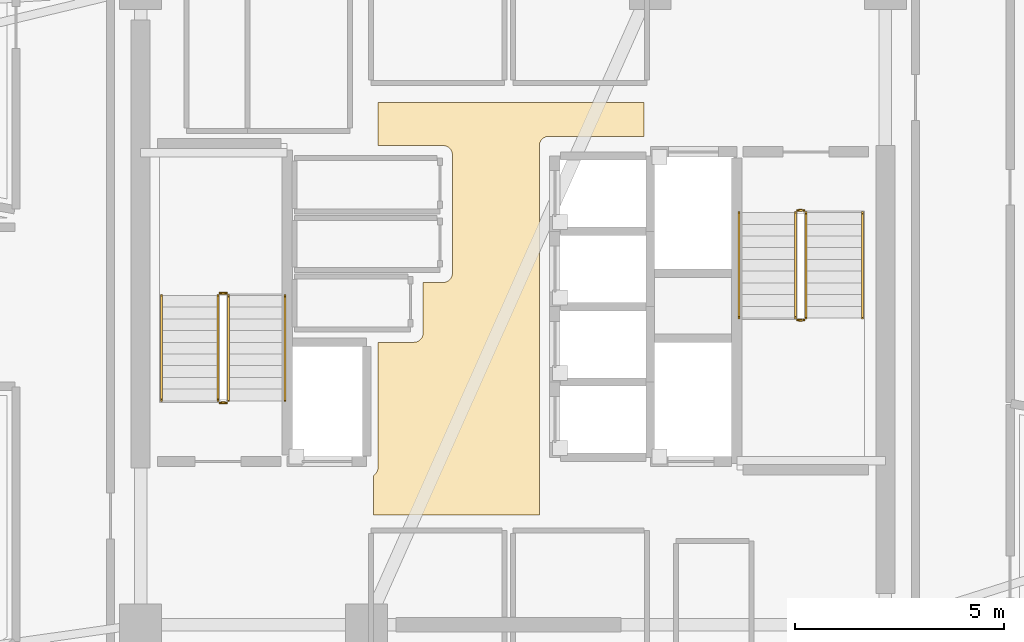
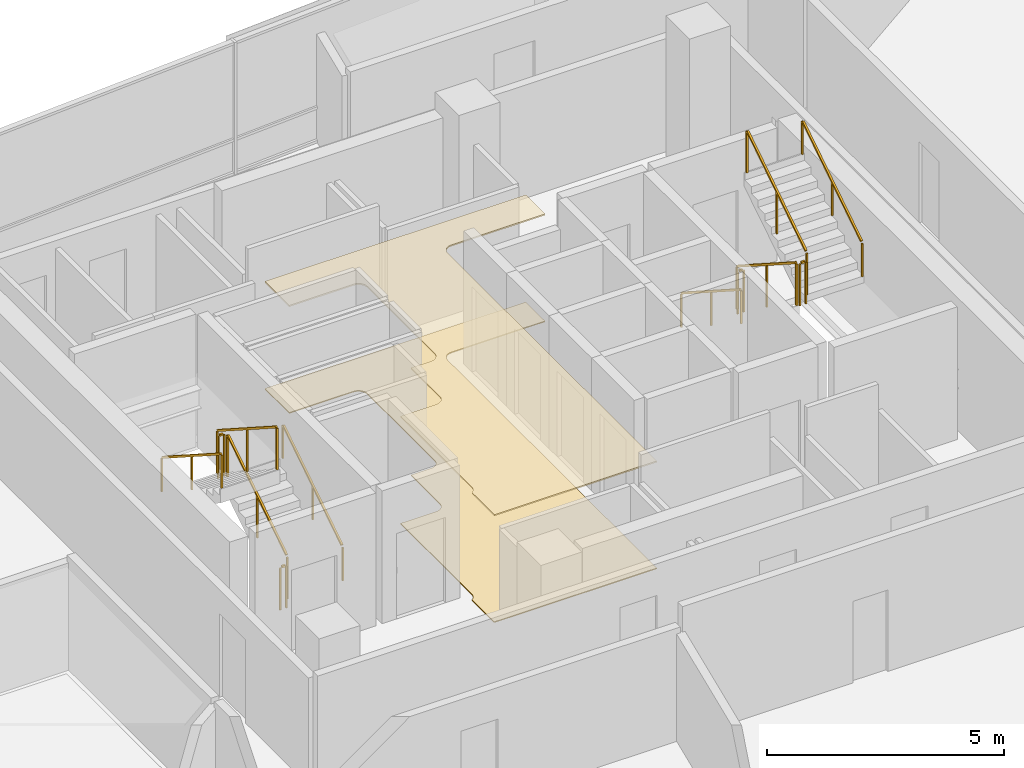
# One storey, part 15 of 16: 12 railings, 2 coverings.
"""IFC4 building model written with IfcOpenShell, lengths in metres."""

import ifcopenshell
import ifcopenshell.guid

model = None  # the IFC model being written
_history = None  # IfcOwnerHistory: only IFC2X3 demands one
_inside = {}  # id of a spatial element -> (the spatial element, [elements in it])
_under = {}  # id of a project, library or spatial element -> (it, [spatial elements below it])
_declared = {}  # id of a project -> (the project, [libraries it declares])
_typed = {}  # id of a type object -> (the type object, [elements of that type])
_made_of = {}  # id of a material, layer set ... -> (it, [elements and type objects made of it])


def new_model(schema):
    """Start an empty IFC model of exactly this schema.

    Asked for "IFC4X3", IfcOpenShell would pick the latest addendum, in which some entities
    have other attributes; the version numbers below select the first issue.
    IFC2X3 requires an IfcOwnerHistory on every rooted entity: one is made here for all.
    """
    global model, _history
    if schema == "IFC4X3":
        model = ifcopenshell.file(schema_version=(4, 3, 0, 0))
    else:
        model = ifcopenshell.file(schema=schema)
    _inside.clear()
    _under.clear()
    _declared.clear()
    _typed.clear()
    _made_of.clear()
    _history = None
    if model.schema == "IFC2X3":
        org = make("IfcOrganization", Name="unknown")
        user = make(
            "IfcPersonAndOrganization",
            ThePerson=make("IfcPerson", FamilyName="unknown"),
            TheOrganization=org,
        )
        app = make(
            "IfcApplication",
            ApplicationDeveloper=org,
            Version="unknown",
            ApplicationFullName="unknown",
            ApplicationIdentifier="unknown",
        )
        _history = make(
            "IfcOwnerHistory",
            OwningUser=user,
            OwningApplication=app,
            ChangeAction="ADDED",
            CreationDate=0,
        )
    return model


def make(cls, **values):
    """One entity of the class cls with the attributes given. An attribute that is None is left unset."""
    return model.create_entity(
        cls, **{name: value for name, value in values.items() if value is not None}
    )


def rooted(cls, **values):
    """An entity with a GlobalId (a new one), such as an element, a storey or a relation."""
    return make(cls, GlobalId=ifcopenshell.guid.new(), OwnerHistory=_history, **values)


def si_unit(unit_type, name, prefix=None):
    """IfcSIUnit, for example si_unit("LENGTHUNIT", "METRE", prefix="MILLI")."""
    return make("IfcSIUnit", UnitType=unit_type, Prefix=prefix, Name=name)


def assignment(units):
    """IfcUnitAssignment: the units of a project."""
    return None if units is None else make("IfcUnitAssignment", Units=units)


def point(xyz):
    """IfcCartesianPoint."""
    return None if xyz is None else make("IfcCartesianPoint", Coordinates=xyz)


def direction(xyz):
    """IfcDirection."""
    return None if xyz is None else make("IfcDirection", DirectionRatios=xyz)


def frame(location, z_axis=None, x_axis=None):
    """IfcAxis2Placement3D, a coordinate frame: its origin and axes. An axis left out is left unset."""
    return make(
        "IfcAxis2Placement3D",
        Location=point(location),
        Axis=direction(z_axis),
        RefDirection=direction(x_axis),
    )


def frame_2d(location, x_axis=None):
    """IfcAxis2Placement2D, a coordinate frame in the plane: its origin and x axis."""
    return make(
        "IfcAxis2Placement2D", Location=point(location), RefDirection=direction(x_axis)
    )


def origin():
    """The frame at (0, 0, 0) with its axes left unset."""
    return frame((0.0, 0.0, 0.0))


def origin_2d():
    """The frame at (0, 0) in the plane with its x axis left unset."""
    return frame_2d((0.0, 0.0))


def place(relative_to, where):
    """IfcLocalPlacement: puts the frame where relative to a parent placement (None: the world)."""
    return make(
        "IfcLocalPlacement", PlacementRelTo=relative_to, RelativePlacement=where
    )


def context(
    kind, dimensions, precision=None, world=None, true_north=None, identifier=None
):
    """IfcGeometricRepresentationContext, for example the 3D "Model" context."""
    return make(
        "IfcGeometricRepresentationContext",
        ContextIdentifier=identifier,
        ContextType=kind,
        CoordinateSpaceDimension=dimensions,
        Precision=precision,
        WorldCoordinateSystem=world,
        TrueNorth=true_north,
    )


def subcontext(parent, identifier, kind, view, scale=None):
    """IfcGeometricRepresentationSubContext, for example "Body" below "Model"."""
    return make(
        "IfcGeometricRepresentationSubContext",
        ContextIdentifier=identifier,
        ContextType=kind,
        ParentContext=parent,
        TargetScale=scale,
        TargetView=view,
    )


def project(units=None, contexts=None):
    """IfcProject with its units and contexts."""
    return rooted(
        "IfcProject",
        Name="project",
        RepresentationContexts=contexts,
        UnitsInContext=assignment(units),
    )


def spatial(cls, under=None, at=None, **own):
    """A site, building, storey or space (cls), placed at a placement, below another one or the project."""
    s = rooted(cls, ObjectPlacement=at, **own)
    if under is not None:
        _under.setdefault(under.id(), (under, []))[1].append(s)
    return s


def polyline(points):
    """IfcPolyline through the points."""
    return make("IfcPolyline", Points=[point(p) for p in points])


def profile(cls, at=None, kind="AREA", **sizes):
    """A parametric profile (cls). Its sizes go by their IFC names, for example OverallWidth=200.0."""
    return make(cls, ProfileType=kind, Position=at, **sizes)


def rectangle(**sizes):
    """IfcRectangleProfileDef."""
    return profile("IfcRectangleProfileDef", **sizes)


def outline(outer, holes=None, kind="AREA"):
    """IfcArbitraryClosedProfileDef: a profile drawn as a closed curve; with holes, ...WithVoids."""
    if holes is None:
        return make("IfcArbitraryClosedProfileDef", ProfileType=kind, OuterCurve=outer)
    return make(
        "IfcArbitraryProfileDefWithVoids",
        ProfileType=kind,
        OuterCurve=outer,
        InnerCurves=holes,
    )


def extrude(swept, where, along, depth):
    """IfcExtrudedAreaSolid: the profile swept, set in the frame where, extruded along a direction by depth."""
    return make(
        "IfcExtrudedAreaSolid",
        SweptArea=swept,
        Position=where,
        ExtrudedDirection=direction(along),
        Depth=depth,
    )


def shape(context_of_items, identifier, shape_type, items):
    """IfcShapeRepresentation: the items that make up one representation, for example the "Body"."""
    return make(
        "IfcShapeRepresentation",
        ContextOfItems=context_of_items,
        RepresentationIdentifier=identifier,
        RepresentationType=shape_type,
        Items=items,
    )


def material(Name=None, Category=None):
    """IfcMaterial."""
    return make("IfcMaterial", Name=Name, Category=Category)


def layer(
    of_material, thickness, ventilated=None, Name=None, Category=None, Priority=None
):
    """IfcMaterialLayer: one layer of a wall or slab, of a material (None: an air gap)."""
    return make(
        "IfcMaterialLayer",
        Material=of_material,
        LayerThickness=thickness,
        IsVentilated=ventilated,
        Name=Name,
        Category=Category,
        Priority=Priority,
    )


def layer_set(layers, Name=None):
    """IfcMaterialLayerSet."""
    return make("IfcMaterialLayerSet", MaterialLayers=layers, LayerSetName=Name)


def made_of(thing, what):
    """Note that an element or type object is made of a material, layer set ...; save() writes the relation."""
    if what is not None:
        _made_of.setdefault(what.id(), (what, []))[1].append(thing)
    return thing


def type_object(cls, material=None, **own):
    """A type object (cls), such as IfcWallType, which elements share."""
    return made_of(rooted(cls, **own), material)


def element(
    cls,
    number,
    at=None,
    inside=None,
    cuts=None,
    type_object=None,
    material=None,
    context=None,
    identifier="Body",
    shape_type=None,
    held_by="IfcProductDefinitionShape",
    body=None,
    shapes=None,
    **own,
):
    """One element of the class cls, such as IfcWall. Its Tag is "e" and its number.

    at: its placement. inside: the storey or other place that contains it. cuts: it is an
    opening in that element (IfcRelVoidsElement). A single representation is given by context,
    identifier, shape_type and body (its items); several are given by shapes. held_by: the class
    of the entity that holds the representations. save() writes the other relations.
    """
    e = rooted(cls, Tag="e%d" % number, ObjectPlacement=at, **own)
    if body is not None:
        shapes = [shape(context, identifier, shape_type, body)]
    if shapes is not None:
        e.Representation = make(held_by, Representations=shapes)
    if inside is not None:
        _inside.setdefault(inside.id(), (inside, []))[1].append(e)
    if cuts is not None:
        rooted(
            "IfcRelVoidsElement", RelatingBuildingElement=cuts, RelatedOpeningElement=e
        )
    if type_object is not None:
        _typed.setdefault(type_object.id(), (type_object, []))[1].append(e)
    return made_of(e, material)


def aggregate(whole, parts):
    """IfcRelAggregates: a whole, such as a stair, and the parts it consists of."""
    return rooted("IfcRelAggregates", RelatingObject=whole, RelatedObjects=parts)


def save(model, path):
    """Write the relations noted so far, then the file.

    IfcRelAggregates (storeys below a building ...), IfcRelContainedInSpatialStructure (elements
    in a storey), IfcRelDefinesByType, IfcRelAssociatesMaterial and IfcRelDeclares: one each for
    every whole, place, type object, material and project.
    """
    for whole, parts in _under.values():
        aggregate(whole, parts)
    for where, things in _inside.values():
        rooted(
            "IfcRelContainedInSpatialStructure",
            RelatedElements=things,
            RelatingStructure=where,
        )
    for kind, things in _typed.values():
        rooted("IfcRelDefinesByType", RelatedObjects=things, RelatingType=kind)
    for what, things in _made_of.values():
        rooted("IfcRelAssociatesMaterial", RelatedObjects=things, RelatingMaterial=what)
    for by, libraries in _declared.values():
        rooted("IfcRelDeclares", RelatingContext=by, RelatedDefinitions=libraries)
    model.write(path)


model = new_model("IFC4")

# Units and contexts
model_context = context("Model", 3, precision=1e-05, world=origin(), true_north=direction((0.0, 1.0)))
body_context = subcontext(model_context, "Body", "Model", "MODEL_VIEW")
ifc_project = project(units=[si_unit("LENGTHUNIT", "METRE"), si_unit("AREAUNIT", "SQUARE_METRE"), si_unit("VOLUMEUNIT", "CUBIC_METRE"), si_unit("PLANEANGLEUNIT", "RADIAN"), si_unit("MASSUNIT", "GRAM", prefix="KILO")], contexts=[model_context])

# Site, building, storey
site_placement = place(None, origin())
site = spatial("IfcSite", under=ifc_project, at=site_placement, CompositionType="ELEMENT")
building_placement = place(site_placement, origin())
building = spatial("IfcBuilding", under=site, at=building_placement, Name="Tharavind Bronze Gate", CompositionType="ELEMENT")
storey_placement = place(building_placement, frame((0.0, 0.0, 264.199951171875)))
storey = spatial("IfcBuildingStorey", under=building, at=storey_placement, Name="L68", CompositionType="ELEMENT", Elevation=264.199951171875)

# Coverings
ifc_material_1 = material(Name="Perforated Bronze Acoustic Panel", Category="bronze")
ifc_layer_1 = layer(ifc_material_1, 0.044921875)
ifc_layer_set_1 = layer_set([ifc_layer_1], Name="Perforated Bronze Acoustic Panel")
covering_type_1 = type_object("IfcCoveringType", Name="ACOUSTIC BRONZE BAFFLE CEILING", PredefinedType="CEILING", material=ifc_layer_set_1)
covering_1_placement = place(storey_placement, frame((0.0, 0.0, 2.75)))
element("IfcCovering", 1, at=covering_1_placement, inside=storey, type_object=covering_type_1, Name="L68-C-LL suspended ceiling", PredefinedType="CEILING", context=body_context, shape_type="SweptSolid", body=[
    extrude(outline(polyline([(-3.330078125, -4.97998046875), (0.6298828125, -4.97998046875), (0.6298828125, 3.85009765625), (0.631103515625, 3.87158203125), (0.63427734375, 3.892822265625), (0.639404296875, 3.913818359375), (0.646728515625, 3.93408203125), (0.656005859375, 3.95361328125), (0.6669921875, 3.97216796875), (0.679931640625, 3.989501953125), (0.6943359375, 4.005615234375), (0.71044921875, 4.02001953125), (0.727783203125, 4.032958984375), (0.746337890625, 4.0439453125), (0.765869140625, 4.05322265625), (0.7861328125, 4.060546875), (0.80712890625, 4.06591796875), (0.828369140625, 4.06884765625), (0.85009765625, 4.070068359375), (3.1298828125, 4.070068359375), (3.1298828125, 4.8798828125), (-3.22998046875, 4.8798828125), (-3.22998046875, 3.85009765625), (-1.669921875, 3.85009765625), (-1.6484375, 3.848876953125), (-1.627197265625, 3.845703125), (-1.606201171875, 3.840576171875), (-1.585693359375, 3.833251953125), (-1.56640625, 3.823974609375), (-1.5478515625, 3.81298828125), (-1.530517578125, 3.800048828125), (-1.514404296875, 3.78564453125), (-1.5, 3.76953125), (-1.487060546875, 3.752197265625), (-1.47607421875, 3.733642578125), (-1.466796875, 3.714111328125), (-1.45947265625, 3.69384765625), (-1.4541015625, 3.6728515625), (-1.451171875, 3.651611328125), (-1.449951171875, 3.6298828125), (-1.449951171875, 0.800048828125), (-1.451171875, 0.7783203125), (-1.4541015625, 0.757080078125), (-1.45947265625, 0.736083984375), (-1.466796875, 0.7158203125), (-1.47607421875, 0.6962890625), (-1.487060546875, 0.677734375), (-1.5, 0.660400390625), (-1.514404296875, 0.644287109375), (-1.530517578125, 0.6298828125), (-1.5478515625, 0.6171875), (-1.56640625, 0.60595703125), (-1.585693359375, 0.5966796875), (-1.606201171875, 0.589599609375), (-1.627197265625, 0.584228515625), (-1.6484375, 0.5810546875), (-1.669921875, 0.580078125), (-2.14990234375, 0.580078125), (-2.14990234375, -0.6298828125), (-2.151123046875, -0.651611328125), (-2.154296875, -0.6728515625), (-2.159423828125, -0.69384765625), (-2.166748046875, -0.714111328125), (-2.176025390625, -0.733642578125), (-2.18701171875, -0.752197265625), (-2.199951171875, -0.76953125), (-2.21435546875, -0.78564453125), (-2.23046875, -0.800048828125), (-2.247802734375, -0.81298828125), (-2.266357421875, -0.823974609375), (-2.285888671875, -0.833251953125), (-2.30615234375, -0.840576171875), (-2.3271484375, -0.845703125), (-2.348388671875, -0.848876953125), (-2.3701171875, -0.85009765625), (-3.22998046875, -0.85009765625), (-3.22998046875, -3.85009765625), (-3.231201171875, -3.87158203125), (-3.234130859375, -3.892822265625), (-3.239501953125, -3.913818359375), (-3.24658203125, -3.93408203125), (-3.256103515625, -3.95361328125), (-3.26708984375, -3.97216796875), (-3.27978515625, -3.989501953125), (-3.29443359375, -4.005615234375), (-3.310302734375, -4.02001953125), (-3.327880859375, -4.032958984375), (-3.330078125, -4.0341796875), (-3.330078125, -4.97998046875)])), origin(), (0.0, 0.0, 1.0), 0.03515625),
])
ifc_material_2 = material(Name="Honed Travertine Limestone", Category="masonry")
ifc_layer_2 = layer(ifc_material_2, 0.030029296875)
ifc_layer_set_2 = layer_set([ifc_layer_2], Name="Honed Travertine Limestone")
covering_type_2 = type_object("IfcCoveringType", Name="HONED LIMESTONE FLOORING", PredefinedType="FLOORING", material=ifc_layer_set_2)
covering_2_placement = place(storey_placement, origin())
element("IfcCovering", 2, at=covering_2_placement, inside=storey, type_object=covering_type_2, Name="L68-C-LL floor finish", PredefinedType="FLOORING", context=body_context, shape_type="SweptSolid", body=[
    extrude(outline(polyline([(-3.330078125, -4.97998046875), (0.6298828125, -4.97998046875), (0.6298828125, 3.85009765625), (0.631103515625, 3.87158203125), (0.63427734375, 3.892822265625), (0.639404296875, 3.913818359375), (0.646728515625, 3.93408203125), (0.656005859375, 3.95361328125), (0.6669921875, 3.97216796875), (0.679931640625, 3.989501953125), (0.6943359375, 4.005615234375), (0.71044921875, 4.02001953125), (0.727783203125, 4.032958984375), (0.746337890625, 4.0439453125), (0.765869140625, 4.05322265625), (0.7861328125, 4.060546875), (0.80712890625, 4.06591796875), (0.828369140625, 4.06884765625), (0.85009765625, 4.070068359375), (3.1298828125, 4.070068359375), (3.1298828125, 4.8798828125), (-3.22998046875, 4.8798828125), (-3.22998046875, 3.85009765625), (-1.669921875, 3.85009765625), (-1.6484375, 3.848876953125), (-1.627197265625, 3.845703125), (-1.606201171875, 3.840576171875), (-1.585693359375, 3.833251953125), (-1.56640625, 3.823974609375), (-1.5478515625, 3.81298828125), (-1.530517578125, 3.800048828125), (-1.514404296875, 3.78564453125), (-1.5, 3.76953125), (-1.487060546875, 3.752197265625), (-1.47607421875, 3.733642578125), (-1.466796875, 3.714111328125), (-1.45947265625, 3.69384765625), (-1.4541015625, 3.6728515625), (-1.451171875, 3.651611328125), (-1.449951171875, 3.6298828125), (-1.449951171875, 0.800048828125), (-1.451171875, 0.7783203125), (-1.4541015625, 0.757080078125), (-1.45947265625, 0.736083984375), (-1.466796875, 0.7158203125), (-1.47607421875, 0.6962890625), (-1.487060546875, 0.677734375), (-1.5, 0.660400390625), (-1.514404296875, 0.644287109375), (-1.530517578125, 0.6298828125), (-1.5478515625, 0.6171875), (-1.56640625, 0.60595703125), (-1.585693359375, 0.5966796875), (-1.606201171875, 0.589599609375), (-1.627197265625, 0.584228515625), (-1.6484375, 0.5810546875), (-1.669921875, 0.580078125), (-2.14990234375, 0.580078125), (-2.14990234375, -0.6298828125), (-2.151123046875, -0.651611328125), (-2.154296875, -0.6728515625), (-2.159423828125, -0.69384765625), (-2.166748046875, -0.714111328125), (-2.176025390625, -0.733642578125), (-2.18701171875, -0.752197265625), (-2.199951171875, -0.76953125), (-2.21435546875, -0.78564453125), (-2.23046875, -0.800048828125), (-2.247802734375, -0.81298828125), (-2.266357421875, -0.823974609375), (-2.285888671875, -0.833251953125), (-2.30615234375, -0.840576171875), (-2.3271484375, -0.845703125), (-2.348388671875, -0.848876953125), (-2.3701171875, -0.85009765625), (-3.22998046875, -0.85009765625), (-3.22998046875, -3.85009765625), (-3.231201171875, -3.87158203125), (-3.234130859375, -3.892822265625), (-3.239501953125, -3.913818359375), (-3.24658203125, -3.93408203125), (-3.256103515625, -3.95361328125), (-3.26708984375, -3.97216796875), (-3.27978515625, -3.989501953125), (-3.29443359375, -4.005615234375), (-3.310302734375, -4.02001953125), (-3.327880859375, -4.032958984375), (-3.330078125, -4.0341796875), (-3.330078125, -4.97998046875)])), origin(), (0.0, 0.0, 1.0), 0.025146484375),
])

# Railings
ifc_material_3 = material(Name="Brushed Bronze Alloy", Category="metal")
railing_type_1 = type_object("IfcRailingType", Name="STAIR BRONZE HANDRAIL 900", PredefinedType="HANDRAIL", material=ifc_material_3)
railing_1_placement = place(storey_placement, frame((-5.449951171875, -2.25, 0.179931640625)))
element("IfcRailing", 3, at=railing_1_placement, inside=storey, type_object=railing_type_1, Name="L68 ST1 stair handrail 1", PredefinedType="HANDRAIL", context=body_context, shape_type="SweptSolid", body=[
    extrude(rectangle(XDim=0.048095703125, YDim=0.048095703125, at=origin_2d()), frame((0.0, 0.02685546875, 0.89306640625), z_axis=(0.0, 0.841162588446, 0.540782303519), x_axis=(-1.0, 0.0, 0.0)), (0.0, 0.0, 1.0), 2.931884765625),
    extrude(rectangle(XDim=0.0400390625, YDim=0.0400390625, at=origin_2d()), origin(), (0.0, 0.0, 1.0), 0.847900390625),
    extrude(rectangle(XDim=0.0400390625, YDim=0.0400390625, at=origin_2d()), frame((0.0, 1.260009765625, 0.81005859375)), (0.0, 0.0, 1.0), 0.847900390625),
    extrude(rectangle(XDim=0.0400390625, YDim=0.0400390625, at=origin_2d()), frame((0.0, 2.52001953125, 1.6201171875)), (0.0, 0.0, 1.0), 0.847900390625),
])
for number, where, name in (
    (4, (-8.39990234375, 0.27001953125, 1.97998046875), "L68 ST1 stair handrail 2"),
    (5, (5.39990234375, 2.25, 0.179931640625), "L68 ST2 stair handrail 1"),
):
    element("IfcRailing", number, at=place(storey_placement, frame(where)), inside=storey, type_object=railing_type_1, Name=name, PredefinedType="HANDRAIL", context=body_context, shape_type="SweptSolid", body=[
        extrude(rectangle(XDim=0.048095703125, YDim=0.048095703125, at=origin_2d()), frame((0.0, -0.02685546875, 0.89306640625), z_axis=(0.0, -0.841162588446, 0.540782303519), x_axis=(1.0, 0.0, 0.0)), (0.0, 0.0, 1.0), 2.931884765625),
        extrude(rectangle(XDim=0.0400390625, YDim=0.0400390625, at=origin_2d()), origin(), (0.0, 0.0, 1.0), 0.847900390625),
        extrude(rectangle(XDim=0.0400390625, YDim=0.0400390625, at=origin_2d()), frame((0.0, -1.260009765625, 0.81005859375)), (0.0, 0.0, 1.0), 0.847900390625),
        extrude(rectangle(XDim=0.0400390625, YDim=0.0400390625, at=origin_2d()), frame((0.0, -2.52001953125, 1.6201171875)), (0.0, 0.0, 1.0), 0.847900390625),
    ])
railing_2_placement = place(storey_placement, frame((8.35009765625, -0.27001953125, 1.97998046875)))
element("IfcRailing", 6, at=railing_2_placement, inside=storey, type_object=railing_type_1, Name="L68 ST2 stair handrail 2", PredefinedType="HANDRAIL", context=body_context, shape_type="SweptSolid", body=[
    extrude(rectangle(XDim=0.048095703125, YDim=0.048095703125, at=origin_2d()), frame((0.0, 0.02685546875, 0.89306640625), z_axis=(0.0, 0.841162588446, 0.540782303519), x_axis=(-1.0, 0.0, 0.0)), (0.0, 0.0, 1.0), 2.931884765625),
    extrude(rectangle(XDim=0.0400390625, YDim=0.0400390625, at=origin_2d()), origin(), (0.0, 0.0, 1.0), 0.847900390625),
    extrude(rectangle(XDim=0.0400390625, YDim=0.0400390625, at=origin_2d()), frame((0.0, 1.260009765625, 0.81005859375)), (0.0, 0.0, 1.0), 0.847900390625),
    extrude(rectangle(XDim=0.0400390625, YDim=0.0400390625, at=origin_2d()), frame((0.0, 2.52001953125, 1.6201171875)), (0.0, 0.0, 1.0), 0.847900390625),
])
railing_type_2 = type_object("IfcRailingType", Name="STAIR WELL GUARD RAILING 1120", PredefinedType="GUARDRAIL", material=ifc_material_3)
railing_3_placement = place(storey_placement, frame((-6.800048828125, -2.25, 0.179931640625)))
element("IfcRailing", 7, at=railing_3_placement, inside=storey, type_object=railing_type_2, Name="L68 ST1 stair guard 1", PredefinedType="GUARDRAIL", context=body_context, shape_type="SweptSolid", body=[
    extrude(rectangle(XDim=0.048095703125, YDim=0.048095703125, at=origin_2d()), frame((0.0, 0.02685546875, 1.11328125), z_axis=(0.0, 0.841162588446, 0.540782303519), x_axis=(-1.0, 0.0, 0.0)), (0.0, 0.0, 1.0), 2.931884765625),
    extrude(rectangle(XDim=0.0400390625, YDim=0.0400390625, at=origin_2d()), origin(), (0.0, 0.0, 1.0), 1.068115234375),
    extrude(rectangle(XDim=0.0400390625, YDim=0.0400390625, at=origin_2d()), frame((0.0, 1.260009765625, 0.81005859375)), (0.0, 0.0, 1.0), 1.068115234375),
    extrude(rectangle(XDim=0.0400390625, YDim=0.0400390625, at=origin_2d()), frame((0.0, 2.52001953125, 1.6201171875)), (0.0, 0.0, 1.0), 1.068115234375),
])
railing_4_placement = place(storey_placement, frame((-6.85009765625, 0.320068359375, 1.800048828125)))
element("IfcRailing", 8, at=railing_4_placement, inside=storey, type_object=railing_type_2, Name="L68 ST1 stair guard 2", PredefinedType="GUARDRAIL", context=body_context, shape_type="SweptSolid", body=[
    extrude(rectangle(XDim=0.048095703125, YDim=0.048095703125, at=origin_2d()), frame((-0.031982421875, 0.0, 1.09619140625), z_axis=(-1.0, 0.0, 0.0), x_axis=(0.0, -1.0, 0.0)), (0.0, 0.0, 1.0), 0.0859375),
    extrude(rectangle(XDim=0.0400390625, YDim=0.0400390625, at=origin_2d()), origin(), (0.0, 0.0, 1.0), 1.068115234375),
    extrude(rectangle(XDim=0.0400390625, YDim=0.0400390625, at=origin_2d()), frame((-0.14990234375, 0.0, 0.0)), (0.0, 0.0, 1.0), 1.068115234375),
])
railing_5_placement = place(storey_placement, frame((-7.050048828125, 0.27001953125, 1.97998046875)))
element("IfcRailing", 9, at=railing_5_placement, inside=storey, type_object=railing_type_2, Name="L68 ST1 stair guard 3", PredefinedType="GUARDRAIL", context=body_context, shape_type="SweptSolid", body=[
    extrude(rectangle(XDim=0.048095703125, YDim=0.048095703125, at=origin_2d()), frame((0.0, -0.02685546875, 1.11328125), z_axis=(0.0, -0.841162588446, 0.540782303519), x_axis=(1.0, 0.0, 0.0)), (0.0, 0.0, 1.0), 2.931884765625),
    extrude(rectangle(XDim=0.0400390625, YDim=0.0400390625, at=origin_2d()), origin(), (0.0, 0.0, 1.0), 1.068115234375),
    extrude(rectangle(XDim=0.0400390625, YDim=0.0400390625, at=origin_2d()), frame((0.0, -1.260009765625, 0.81005859375)), (0.0, 0.0, 1.0), 1.068115234375),
    extrude(rectangle(XDim=0.0400390625, YDim=0.0400390625, at=origin_2d()), frame((0.0, -2.52001953125, 1.6201171875)), (0.0, 0.0, 1.0), 1.068115234375),
])
railing_6_placement = place(storey_placement, frame((-6.85009765625, -2.300048828125, 0.0)))
element("IfcRailing", 10, at=railing_6_placement, inside=storey, type_object=railing_type_2, Name="L68 ST1 stair guard 4", PredefinedType="GUARDRAIL", context=body_context, shape_type="SweptSolid", body=[
    extrude(rectangle(XDim=0.048095703125, YDim=0.048095703125, at=origin_2d()), frame((-0.031982421875, 0.0, 1.09619140625), z_axis=(-1.0, 0.0, 0.0), x_axis=(0.0, -1.0, 0.0)), (0.0, 0.0, 1.0), 0.0859375),
    extrude(rectangle(XDim=0.0400390625, YDim=0.0400390625, at=origin_2d()), origin(), (0.0, 0.0, 1.0), 1.068115234375),
    extrude(rectangle(XDim=0.0400390625, YDim=0.0400390625, at=origin_2d()), frame((-0.14990234375, 0.0, 0.0)), (0.0, 0.0, 1.0), 1.068115234375),
])
railing_7_placement = place(storey_placement, frame((6.75, 2.25, 0.179931640625)))
element("IfcRailing", 11, at=railing_7_placement, inside=storey, type_object=railing_type_2, Name="L68 ST2 stair guard 1", PredefinedType="GUARDRAIL", context=body_context, shape_type="SweptSolid", body=[
    extrude(rectangle(XDim=0.048095703125, YDim=0.048095703125, at=origin_2d()), frame((0.0, -0.02685546875, 1.11328125), z_axis=(0.0, -0.841162588446, 0.540782303519), x_axis=(1.0, 0.0, 0.0)), (0.0, 0.0, 1.0), 2.931884765625),
    extrude(rectangle(XDim=0.0400390625, YDim=0.0400390625, at=origin_2d()), origin(), (0.0, 0.0, 1.0), 1.068115234375),
    extrude(rectangle(XDim=0.0400390625, YDim=0.0400390625, at=origin_2d()), frame((0.0, -1.260009765625, 0.81005859375)), (0.0, 0.0, 1.0), 1.068115234375),
    extrude(rectangle(XDim=0.0400390625, YDim=0.0400390625, at=origin_2d()), frame((0.0, -2.52001953125, 1.6201171875)), (0.0, 0.0, 1.0), 1.068115234375),
])
railing_8_placement = place(storey_placement, frame((6.800048828125, -0.320068359375, 1.800048828125)))
element("IfcRailing", 12, at=railing_8_placement, inside=storey, type_object=railing_type_2, Name="L68 ST2 stair guard 2", PredefinedType="GUARDRAIL", context=body_context, shape_type="SweptSolid", body=[
    extrude(rectangle(XDim=0.048095703125, YDim=0.048095703125, at=origin_2d()), frame((0.031982421875, 0.0, 1.09619140625), z_axis=(1.0, 0.0, 0.0), x_axis=(0.0, 1.0, 0.0)), (0.0, 0.0, 1.0), 0.0859375),
    extrude(rectangle(XDim=0.0400390625, YDim=0.0400390625, at=origin_2d()), origin(), (0.0, 0.0, 1.0), 1.068115234375),
    extrude(rectangle(XDim=0.0400390625, YDim=0.0400390625, at=origin_2d()), frame((0.14990234375, 0.0, 0.0)), (0.0, 0.0, 1.0), 1.068115234375),
])
railing_9_placement = place(storey_placement, frame((7.0, -0.27001953125, 1.97998046875)))
element("IfcRailing", 13, at=railing_9_placement, inside=storey, type_object=railing_type_2, Name="L68 ST2 stair guard 3", PredefinedType="GUARDRAIL", context=body_context, shape_type="SweptSolid", body=[
    extrude(rectangle(XDim=0.048095703125, YDim=0.048095703125, at=origin_2d()), frame((0.0, 0.02685546875, 1.11328125), z_axis=(0.0, 0.841162588446, 0.540782303519), x_axis=(-1.0, 0.0, 0.0)), (0.0, 0.0, 1.0), 2.931884765625),
    extrude(rectangle(XDim=0.0400390625, YDim=0.0400390625, at=origin_2d()), origin(), (0.0, 0.0, 1.0), 1.068115234375),
    extrude(rectangle(XDim=0.0400390625, YDim=0.0400390625, at=origin_2d()), frame((0.0, 1.260009765625, 0.81005859375)), (0.0, 0.0, 1.0), 1.068115234375),
    extrude(rectangle(XDim=0.0400390625, YDim=0.0400390625, at=origin_2d()), frame((0.0, 2.52001953125, 1.6201171875)), (0.0, 0.0, 1.0), 1.068115234375),
])
railing_10_placement = place(storey_placement, frame((6.800048828125, 2.300048828125, 0.0)))
element("IfcRailing", 14, at=railing_10_placement, inside=storey, type_object=railing_type_2, Name="L68 ST2 stair guard 4", PredefinedType="GUARDRAIL", context=body_context, shape_type="SweptSolid", body=[
    extrude(rectangle(XDim=0.048095703125, YDim=0.048095703125, at=origin_2d()), frame((0.031982421875, 0.0, 1.09619140625), z_axis=(1.0, 0.0, 0.0), x_axis=(0.0, 1.0, 0.0)), (0.0, 0.0, 1.0), 0.0859375),
    extrude(rectangle(XDim=0.0400390625, YDim=0.0400390625, at=origin_2d()), origin(), (0.0, 0.0, 1.0), 1.068115234375),
    extrude(rectangle(XDim=0.0400390625, YDim=0.0400390625, at=origin_2d()), frame((0.14990234375, 0.0, 0.0)), (0.0, 0.0, 1.0), 1.068115234375),
])

save(model, "model.ifc")
